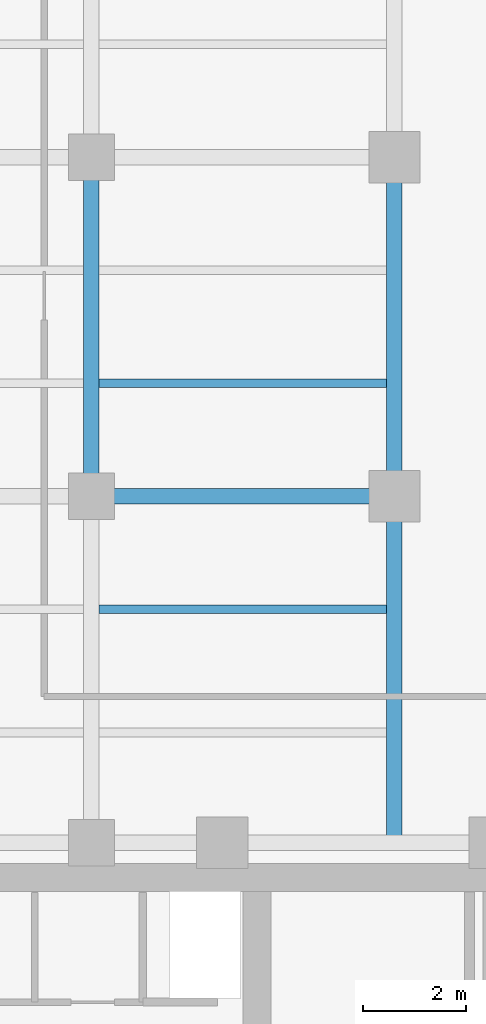
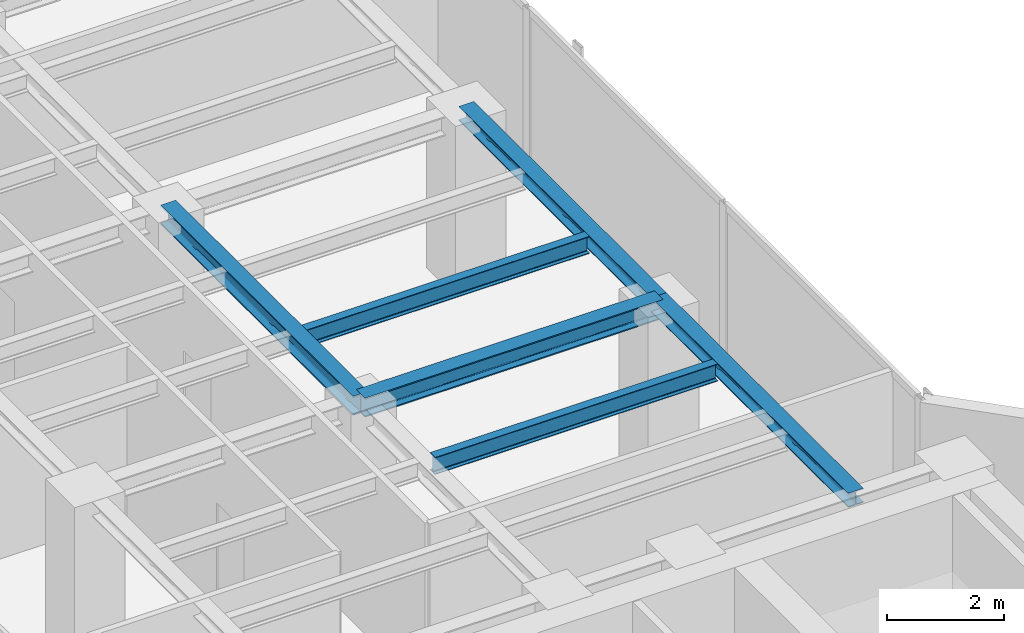
# One storey, part 8 of 23: 6 beams.
"""IFC4 building model written with IfcOpenShell, lengths in metres."""

from ifc_helpers import new_model, si_unit, direction, frame, origin, origin_2d, place, context, subcontext, project, spatial, i_section, extrude, material, material_profile, profile_set, type_object, element, save


model = new_model("IFC4")

# Units and contexts
model_context = context("Model", 3, precision=1e-05, world=origin(), true_north=direction((0.0, 1.0)))
body_context = subcontext(model_context, "Body", "Model", "MODEL_VIEW")
ifc_project = project(units=[si_unit("LENGTHUNIT", "METRE"), si_unit("AREAUNIT", "SQUARE_METRE"), si_unit("VOLUMEUNIT", "CUBIC_METRE"), si_unit("PLANEANGLEUNIT", "RADIAN"), si_unit("MASSUNIT", "GRAM", prefix="KILO")], contexts=[model_context])

# Site, building, storey
site_placement = place(None, origin())
site = spatial("IfcSite", under=ifc_project, at=site_placement, CompositionType="ELEMENT")
building_placement = place(site_placement, origin())
building = spatial("IfcBuilding", under=site, at=building_placement, Name="Kolvaren Waterfront Exchange", CompositionType="ELEMENT")
storey_placement = place(building_placement, frame((0.0, 0.0, 242.5)))
storey = spatial("IfcBuildingStorey", under=building, at=storey_placement, Name="L62", CompositionType="ELEMENT", Elevation=242.5)

# Beams
ifc_material = material(Name="Steel S355", Category="steel")
ifc_material_profile_1 = material_profile(ifc_material, i_section(OverallWidth=0.300048828125, OverallDepth=0.300048828125, WebThickness=0.010986328125, FlangeThickness=0.01904296875, FilletRadius=0.027099609375, at=origin_2d()), Name="HEB300")
ifc_profile_set_1 = profile_set([ifc_material_profile_1], Name="Steel S355")
beam_type_1 = type_object("IfcBeamType", Name="STR-BM-HEB300", PredefinedType="SPANDREL", material=ifc_profile_set_1)
beam_1_placement = place(storey_placement, frame((18.800048828125, 24.449951171875, 3.409912109375), z_axis=(0.0, 1.0, 0.0), x_axis=(-1.0, 0.0, 0.0)))
element("IfcBeam", 1, at=beam_1_placement, inside=storey, type_object=beam_type_1, Name="L62 north-arm edge beam 1", PredefinedType="SPANDREL", context=body_context, shape_type="SweptSolid", body=[
    extrude(i_section(OverallWidth=0.300048828125, OverallDepth=0.300048828125, WebThickness=0.010986328125, FlangeThickness=0.01904296875, FilletRadius=0.027099609375, at=origin_2d()), origin(), (0.0, 0.0, 1.0), 6.75),
])
beam_2_placement = place(storey_placement, frame((18.800048828125, 31.199951171875, 3.409912109375), z_axis=(0.0, 1.0, 0.0), x_axis=(-1.0, 0.0, 0.0)))
element("IfcBeam", 2, at=beam_2_placement, inside=storey, type_object=beam_type_1, Name="L62 north-arm edge beam 2", PredefinedType="SPANDREL", context=body_context, shape_type="SweptSolid", body=[
    extrude(i_section(OverallWidth=0.300048828125, OverallDepth=0.300048828125, WebThickness=0.010986328125, FlangeThickness=0.01904296875, FilletRadius=0.027099609375, at=origin_2d()), origin(), (0.0, 0.0, 1.0), 6.60009765625),
])
ifc_material_profile_2 = material_profile(ifc_material, i_section(OverallWidth=0.300048828125, OverallDepth=0.39990234375, WebThickness=0.013427734375, FlangeThickness=0.02392578125, FilletRadius=0.027099609375, at=origin_2d()), Name="HEB400")
ifc_profile_set_2 = profile_set([ifc_material_profile_2], Name="Steel S355")
beam_type_2 = type_object("IfcBeamType", Name="STR-BM-HEB400", PredefinedType="BEAM", material=ifc_profile_set_2)
beam_3_placement = place(storey_placement, frame((12.89990234375, 31.199951171875, 3.360107421875), z_axis=(1.0, 0.0, 0.0), x_axis=(0.0, 1.0, 0.0)))
element("IfcBeam", 3, at=beam_3_placement, inside=storey, type_object=beam_type_2, Name="L62 north-arm girder 2B", PredefinedType="BEAM", context=body_context, shape_type="SweptSolid", body=[
    extrude(i_section(OverallWidth=0.300048828125, OverallDepth=0.39990234375, WebThickness=0.013427734375, FlangeThickness=0.02392578125, FilletRadius=0.027099609375, at=origin_2d()), origin(), (0.0, 0.0, 1.0), 5.900146484375),
])
beam_4_placement = place(storey_placement, frame((12.89990234375, 31.199951171875, 3.360107421875), z_axis=(0.0, 1.0, 0.0), x_axis=(-1.0, 0.0, 0.0)))
element("IfcBeam", 4, at=beam_4_placement, inside=storey, type_object=beam_type_2, Name="L62 north-arm edge beam 2", PredefinedType="BEAM", context=body_context, shape_type="SweptSolid", body=[
    extrude(i_section(OverallWidth=0.300048828125, OverallDepth=0.39990234375, WebThickness=0.013427734375, FlangeThickness=0.02392578125, FilletRadius=0.027099609375, at=origin_2d()), origin(), (0.0, 0.0, 1.0), 6.60009765625),
])
ifc_material_profile_3 = material_profile(ifc_material, i_section(OverallWidth=0.169921875, OverallDepth=0.360107421875, WebThickness=0.008056640625, FlangeThickness=0.0126953125, FilletRadius=0.01806640625, at=origin_2d()), Name="IPE360")
ifc_profile_set_3 = profile_set([ifc_material_profile_3], Name="Steel S355")
beam_type_3 = type_object("IfcBeamType", Name="STR-BM-IPE360", PredefinedType="JOIST", material=ifc_profile_set_3)
for number, where, z_axis, x_axis, name in (
    (5, (13.052001953125, 29.0, 3.3798828125), (1.0, 0.0, 0.0), (0.0, 1.0, 0.0), "L62 north-arm composite joist 2B"),
    (6, (13.052001953125, 33.39990234375, 3.3798828125), (1.0, 0.0, 0.0), (0.0, 1.0, 0.0), "L62 north-arm composite joist 3B"),
):
    element("IfcBeam", number, at=place(storey_placement, frame(where, z_axis=z_axis, x_axis=x_axis)), inside=storey, type_object=beam_type_3, Name=name, PredefinedType="JOIST", context=body_context, shape_type="SweptSolid", body=[
        extrude(i_section(OverallWidth=0.169921875, OverallDepth=0.360107421875, WebThickness=0.008056640625, FlangeThickness=0.0126953125, FilletRadius=0.01806640625, at=origin_2d()), origin(), (0.0, 0.0, 1.0), 5.595947265625),
    ])

save(model, "model.ifc")
